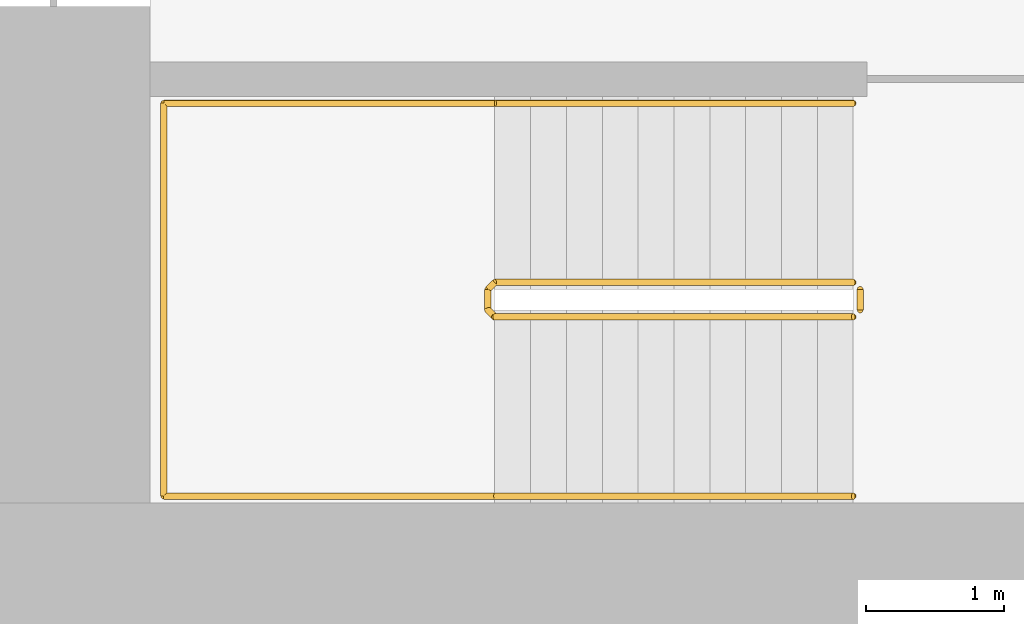
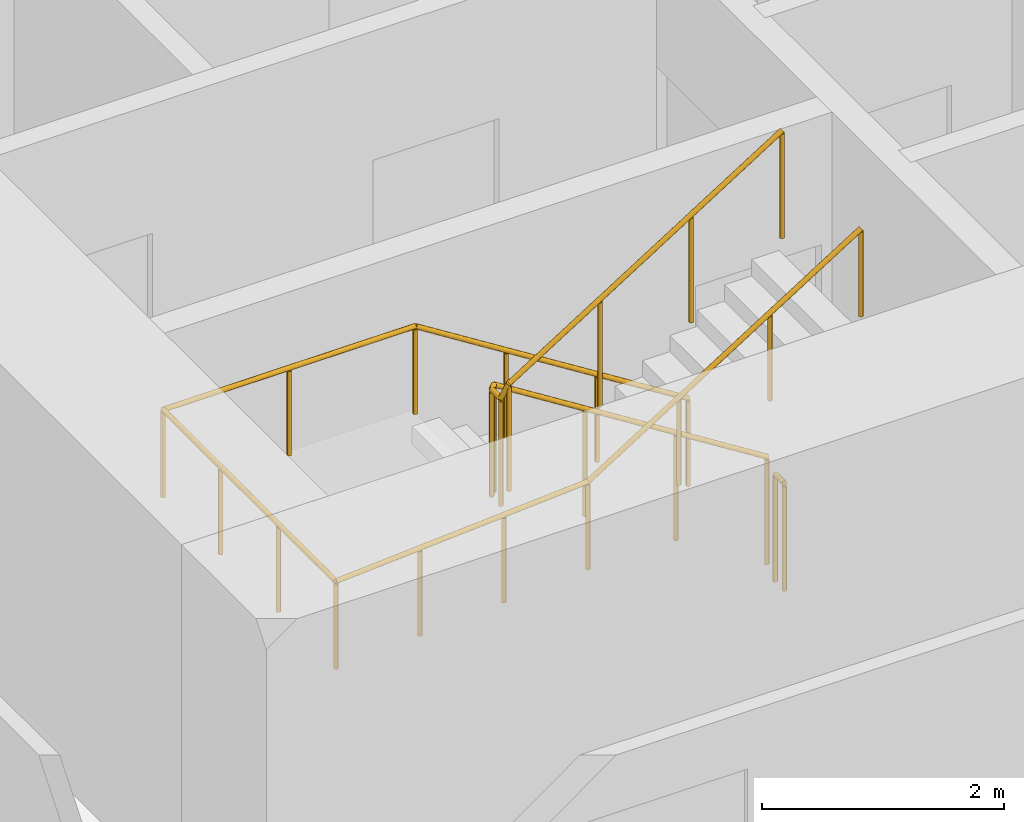
# One storey, part 12 of 14: 3 railings.
"""IFC4 building model written with IfcOpenShell, lengths in metres."""

import ifcopenshell
import ifcopenshell.guid

model = None  # the IFC model being written
_history = None  # IfcOwnerHistory: only IFC2X3 demands one
_inside = {}  # id of a spatial element -> (the spatial element, [elements in it])
_under = {}  # id of a project, library or spatial element -> (it, [spatial elements below it])
_declared = {}  # id of a project -> (the project, [libraries it declares])
_typed = {}  # id of a type object -> (the type object, [elements of that type])
_made_of = {}  # id of a material, layer set ... -> (it, [elements and type objects made of it])


def new_model(schema):
    """Start an empty IFC model of exactly this schema.

    Asked for "IFC4X3", IfcOpenShell would pick the latest addendum, in which some entities
    have other attributes; the version numbers below select the first issue.
    IFC2X3 requires an IfcOwnerHistory on every rooted entity: one is made here for all.
    """
    global model, _history
    if schema == "IFC4X3":
        model = ifcopenshell.file(schema_version=(4, 3, 0, 0))
    else:
        model = ifcopenshell.file(schema=schema)
    _inside.clear()
    _under.clear()
    _declared.clear()
    _typed.clear()
    _made_of.clear()
    _history = None
    if model.schema == "IFC2X3":
        org = make("IfcOrganization", Name="unknown")
        user = make(
            "IfcPersonAndOrganization",
            ThePerson=make("IfcPerson", FamilyName="unknown"),
            TheOrganization=org,
        )
        app = make(
            "IfcApplication",
            ApplicationDeveloper=org,
            Version="unknown",
            ApplicationFullName="unknown",
            ApplicationIdentifier="unknown",
        )
        _history = make(
            "IfcOwnerHistory",
            OwningUser=user,
            OwningApplication=app,
            ChangeAction="ADDED",
            CreationDate=0,
        )
    return model


def make(cls, **values):
    """One entity of the class cls with the attributes given. An attribute that is None is left unset."""
    return model.create_entity(
        cls, **{name: value for name, value in values.items() if value is not None}
    )


def rooted(cls, **values):
    """An entity with a GlobalId (a new one), such as an element, a storey or a relation."""
    return make(cls, GlobalId=ifcopenshell.guid.new(), OwnerHistory=_history, **values)


def si_unit(unit_type, name, prefix=None):
    """IfcSIUnit, for example si_unit("LENGTHUNIT", "METRE", prefix="MILLI")."""
    return make("IfcSIUnit", UnitType=unit_type, Prefix=prefix, Name=name)


def assignment(units):
    """IfcUnitAssignment: the units of a project."""
    return None if units is None else make("IfcUnitAssignment", Units=units)


def point(xyz):
    """IfcCartesianPoint."""
    return None if xyz is None else make("IfcCartesianPoint", Coordinates=xyz)


def direction(xyz):
    """IfcDirection."""
    return None if xyz is None else make("IfcDirection", DirectionRatios=xyz)


def frame(location, z_axis=None, x_axis=None):
    """IfcAxis2Placement3D, a coordinate frame: its origin and axes. An axis left out is left unset."""
    return make(
        "IfcAxis2Placement3D",
        Location=point(location),
        Axis=direction(z_axis),
        RefDirection=direction(x_axis),
    )


def frame_2d(location, x_axis=None):
    """IfcAxis2Placement2D, a coordinate frame in the plane: its origin and x axis."""
    return make(
        "IfcAxis2Placement2D", Location=point(location), RefDirection=direction(x_axis)
    )


def origin():
    """The frame at (0, 0, 0) with its axes left unset."""
    return frame((0.0, 0.0, 0.0))


def origin_2d():
    """The frame at (0, 0) in the plane with its x axis left unset."""
    return frame_2d((0.0, 0.0))


def place(relative_to, where):
    """IfcLocalPlacement: puts the frame where relative to a parent placement (None: the world)."""
    return make(
        "IfcLocalPlacement", PlacementRelTo=relative_to, RelativePlacement=where
    )


def context(
    kind, dimensions, precision=None, world=None, true_north=None, identifier=None
):
    """IfcGeometricRepresentationContext, for example the 3D "Model" context."""
    return make(
        "IfcGeometricRepresentationContext",
        ContextIdentifier=identifier,
        ContextType=kind,
        CoordinateSpaceDimension=dimensions,
        Precision=precision,
        WorldCoordinateSystem=world,
        TrueNorth=true_north,
    )


def subcontext(parent, identifier, kind, view, scale=None):
    """IfcGeometricRepresentationSubContext, for example "Body" below "Model"."""
    return make(
        "IfcGeometricRepresentationSubContext",
        ContextIdentifier=identifier,
        ContextType=kind,
        ParentContext=parent,
        TargetScale=scale,
        TargetView=view,
    )


def project(units=None, contexts=None):
    """IfcProject with its units and contexts."""
    return rooted(
        "IfcProject",
        Name="project",
        RepresentationContexts=contexts,
        UnitsInContext=assignment(units),
    )


def spatial(cls, under=None, at=None, **own):
    """A site, building, storey or space (cls), placed at a placement, below another one or the project."""
    s = rooted(cls, ObjectPlacement=at, **own)
    if under is not None:
        _under.setdefault(under.id(), (under, []))[1].append(s)
    return s


def profile(cls, at=None, kind="AREA", **sizes):
    """A parametric profile (cls). Its sizes go by their IFC names, for example OverallWidth=200.0."""
    return make(cls, ProfileType=kind, Position=at, **sizes)


def circle(**sizes):
    """IfcCircleProfileDef."""
    return profile("IfcCircleProfileDef", **sizes)


def extrude(swept, where, along, depth):
    """IfcExtrudedAreaSolid: the profile swept, set in the frame where, extruded along a direction by depth."""
    return make(
        "IfcExtrudedAreaSolid",
        SweptArea=swept,
        Position=where,
        ExtrudedDirection=direction(along),
        Depth=depth,
    )


def shape(context_of_items, identifier, shape_type, items):
    """IfcShapeRepresentation: the items that make up one representation, for example the "Body"."""
    return make(
        "IfcShapeRepresentation",
        ContextOfItems=context_of_items,
        RepresentationIdentifier=identifier,
        RepresentationType=shape_type,
        Items=items,
    )


def material(Name=None, Category=None):
    """IfcMaterial."""
    return make("IfcMaterial", Name=Name, Category=Category)


def made_of(thing, what):
    """Note that an element or type object is made of a material, layer set ...; save() writes the relation."""
    if what is not None:
        _made_of.setdefault(what.id(), (what, []))[1].append(thing)
    return thing


def type_object(cls, material=None, **own):
    """A type object (cls), such as IfcWallType, which elements share."""
    return made_of(rooted(cls, **own), material)


def element(
    cls,
    number,
    at=None,
    inside=None,
    cuts=None,
    type_object=None,
    material=None,
    context=None,
    identifier="Body",
    shape_type=None,
    held_by="IfcProductDefinitionShape",
    body=None,
    shapes=None,
    **own,
):
    """One element of the class cls, such as IfcWall. Its Tag is "e" and its number.

    at: its placement. inside: the storey or other place that contains it. cuts: it is an
    opening in that element (IfcRelVoidsElement). A single representation is given by context,
    identifier, shape_type and body (its items); several are given by shapes. held_by: the class
    of the entity that holds the representations. save() writes the other relations.
    """
    e = rooted(cls, Tag="e%d" % number, ObjectPlacement=at, **own)
    if body is not None:
        shapes = [shape(context, identifier, shape_type, body)]
    if shapes is not None:
        e.Representation = make(held_by, Representations=shapes)
    if inside is not None:
        _inside.setdefault(inside.id(), (inside, []))[1].append(e)
    if cuts is not None:
        rooted(
            "IfcRelVoidsElement", RelatingBuildingElement=cuts, RelatedOpeningElement=e
        )
    if type_object is not None:
        _typed.setdefault(type_object.id(), (type_object, []))[1].append(e)
    return made_of(e, material)


def aggregate(whole, parts):
    """IfcRelAggregates: a whole, such as a stair, and the parts it consists of."""
    return rooted("IfcRelAggregates", RelatingObject=whole, RelatedObjects=parts)


def save(model, path):
    """Write the relations noted so far, then the file.

    IfcRelAggregates (storeys below a building ...), IfcRelContainedInSpatialStructure (elements
    in a storey), IfcRelDefinesByType, IfcRelAssociatesMaterial and IfcRelDeclares: one each for
    every whole, place, type object, material and project.
    """
    for whole, parts in _under.values():
        aggregate(whole, parts)
    for where, things in _inside.values():
        rooted(
            "IfcRelContainedInSpatialStructure",
            RelatedElements=things,
            RelatingStructure=where,
        )
    for kind, things in _typed.values():
        rooted("IfcRelDefinesByType", RelatedObjects=things, RelatingType=kind)
    for what, things in _made_of.values():
        rooted("IfcRelAssociatesMaterial", RelatedObjects=things, RelatingMaterial=what)
    for by, libraries in _declared.values():
        rooted("IfcRelDeclares", RelatingContext=by, RelatedDefinitions=libraries)
    model.write(path)


model = new_model("IFC4")

# Units and contexts
model_context = context("Model", 3, precision=1e-05, world=origin(), true_north=direction((0.0, 1.0)))
body_context = subcontext(model_context, "Body", "Model", "MODEL_VIEW")
ifc_project = project(units=[si_unit("LENGTHUNIT", "METRE"), si_unit("AREAUNIT", "SQUARE_METRE"), si_unit("VOLUMEUNIT", "CUBIC_METRE"), si_unit("PLANEANGLEUNIT", "RADIAN"), si_unit("MASSUNIT", "GRAM", prefix="KILO")], contexts=[model_context])

# Site, building, storey
site_placement = place(None, origin())
site = spatial("IfcSite", under=ifc_project, at=site_placement, CompositionType="ELEMENT")
building_placement = place(site_placement, origin())
building = spatial("IfcBuilding", under=site, at=building_placement, Name="Rubra Terraces Tower", CompositionType="ELEMENT")
storey_placement = place(building_placement, frame((0.0, 0.0, 62.699951171875)))
storey = spatial("IfcBuildingStorey", under=building, at=storey_placement, Name="L13", CompositionType="ELEMENT", Elevation=62.699951171875)

# Railings
ifc_material = material(Name="Stainless steel", Category="steel")
railing_type_1 = type_object("IfcRailingType", Name="Core stair guard 1100", PredefinedType="GUARDRAIL", material=ifc_material)
railing_1_placement = place(storey_placement, frame((-6.5, 0.0, 0.16357421875)))
element("IfcRailing", 1, at=railing_1_placement, inside=storey, type_object=railing_type_1, Name="L13 stair S1 guard 1", PredefinedType="GUARDRAIL", context=body_context, shape_type="SweptSolid", body=[
    extrude(circle(Radius=0.02392578125, at=origin_2d()), frame((0.0, 0.0, 1.076171875), z_axis=(-0.846324394277, 0.0, 0.532667832379), x_axis=(0.0, -1.0, 0.0)), (0.0, 0.0, 1.0), 3.072265625),
    extrude(circle(Radius=0.02392578125, at=origin_2d()), frame((-2.60009765625, 0.0, 2.71240234375), z_axis=(-0.705375805398, -0.708833529934, 0.0), x_axis=(0.708833529934, -0.705375805398, 0.0)), (0.0, 0.0, 1.0), 0.070556640625),
    extrude(circle(Radius=0.02392578125, at=origin_2d()), frame((-2.64990234375, -0.050048828125, 2.71240234375), z_axis=(0.0, -1.0, 0.0), x_axis=(1.0, 0.0, 0.0)), (0.0, 0.0, 1.0), 0.14990234375),
    extrude(circle(Radius=0.02392578125, at=origin_2d()), frame((-2.64990234375, -0.199951171875, 2.71240234375), z_axis=(0.279546231943, -0.280916556609, 0.91811752648), x_axis=(0.708833529934, 0.705375805398, 0.0)), (0.0, 0.0, 1.0), 0.17822265625),
    extrude(circle(Radius=0.02392578125, at=origin_2d()), frame((-2.60009765625, -0.25, 2.8759765625), z_axis=(0.846324394277, 0.0, 0.532667832379), x_axis=(0.0, 1.0, 0.0)), (0.0, 0.0, 1.0), 3.072265625),
    extrude(circle(Radius=0.02099609375, at=origin_2d()), origin(), (0.0, 0.0, 1.0), 1.052001953125),
    extrude(circle(Radius=0.02099609375, at=origin_2d()), frame((-0.86669921875, 0.0, 0.54541015625)), (0.0, 0.0, 1.0), 1.052001953125),
    extrude(circle(Radius=0.02099609375, at=origin_2d()), frame((-1.7333984375, 0.0, 1.091064453125)), (0.0, 0.0, 1.0), 1.052001953125),
    extrude(circle(Radius=0.02099609375, at=origin_2d()), frame((-2.60009765625, 0.0, 1.636474609375)), (0.0, 0.0, 1.0), 1.052001953125),
    extrude(circle(Radius=0.02099609375, at=origin_2d()), frame((-2.64990234375, -0.050048828125, 1.636474609375)), (0.0, 0.0, 1.0), 1.052001953125),
    extrude(circle(Radius=0.02099609375, at=origin_2d()), frame((-2.64990234375, -0.199951171875, 1.636474609375)), (0.0, 0.0, 1.0), 1.052001953125),
    extrude(circle(Radius=0.02099609375, at=origin_2d()), frame((-2.60009765625, -0.25, 1.800048828125)), (0.0, 0.0, 1.0), 1.052001953125),
    extrude(circle(Radius=0.02099609375, at=origin_2d()), frame((-1.7333984375, -0.25, 2.345458984375)), (0.0, 0.0, 1.0), 1.052001953125),
    extrude(circle(Radius=0.02099609375, at=origin_2d()), frame((-0.86669921875, -0.25, 2.89111328125)), (0.0, 0.0, 1.0), 1.052001953125),
    extrude(circle(Radius=0.02099609375, at=origin_2d()), frame((0.0, -0.25, 3.4365234375)), (0.0, 0.0, 1.0), 1.052001953125),
])
railing_2_placement = place(storey_placement, frame((-6.449951171875, -0.050048828125, 0.0)))
element("IfcRailing", 2, at=railing_2_placement, inside=storey, type_object=railing_type_1, Name="L13 stair S1 guard 2", PredefinedType="GUARDRAIL", context=body_context, shape_type="SweptSolid", body=[
    extrude(circle(Radius=0.02392578125, at=origin_2d()), frame((0.0, 0.0, 1.076171875), z_axis=(0.0, -1.0, 0.0), x_axis=(1.0, 0.0, 0.0)), (0.0, 0.0, 1.0), 0.14990234375),
    extrude(circle(Radius=0.02099609375, at=origin_2d()), origin(), (0.0, 0.0, 1.0), 1.052001953125),
    extrude(circle(Radius=0.02099609375, at=origin_2d()), frame((0.0, -0.14990234375, 0.0)), (0.0, 0.0, 1.0), 1.052001953125),
])
railing_type_2 = type_object("IfcRailingType", Name="Core stair handrail 900", PredefinedType="HANDRAIL", material=ifc_material)
railing_3_placement = place(storey_placement, frame((-6.5, 1.300048828125, 0.16357421875)))
element("IfcRailing", 3, at=railing_3_placement, inside=storey, type_object=railing_type_2, Name="L13 stair S1 handrail 1", PredefinedType="HANDRAIL", context=body_context, shape_type="SweptSolid", body=[
    extrude(circle(Radius=0.02392578125, at=origin_2d()), frame((0.0, 0.0, 0.8759765625), z_axis=(-0.846324394277, 0.0, 0.532667832379), x_axis=(0.0, -1.0, 0.0)), (0.0, 0.0, 1.0), 3.072265625),
    extrude(circle(Radius=0.02392578125, at=origin_2d()), frame((-2.60009765625, 0.0, 2.51220703125), z_axis=(-1.0, 0.0, 0.0), x_axis=(0.0, -1.0, 0.0)), (0.0, 0.0, 1.0), 2.39990234375),
    extrude(circle(Radius=0.02392578125, at=origin_2d()), frame((-5.0, 0.0, 2.51220703125), z_axis=(0.0, -1.0, 0.0), x_axis=(1.0, 0.0, 0.0)), (0.0, 0.0, 1.0), 2.85009765625),
    extrude(circle(Radius=0.02392578125, at=origin_2d()), frame((-5.0, -2.85009765625, 2.51220703125), z_axis=(0.997685257876, 0.0, 0.068000928055), x_axis=(0.0, 1.0, 0.0)), (0.0, 0.0, 1.0), 2.405517578125),
    extrude(circle(Radius=0.02392578125, at=origin_2d()), frame((-2.60009765625, -2.85009765625, 2.67578125), z_axis=(0.846324394277, 0.0, 0.532667832379), x_axis=(0.0, 1.0, 0.0)), (0.0, 0.0, 1.0), 3.072265625),
    extrude(circle(Radius=0.02099609375, at=origin_2d()), origin(), (0.0, 0.0, 1.0), 0.851806640625),
    extrude(circle(Radius=0.02099609375, at=origin_2d()), frame((-0.86669921875, 0.0, 0.54541015625)), (0.0, 0.0, 1.0), 0.851806640625),
    extrude(circle(Radius=0.02099609375, at=origin_2d()), frame((-1.7333984375, 0.0, 1.091064453125)), (0.0, 0.0, 1.0), 0.851806640625),
    extrude(circle(Radius=0.02099609375, at=origin_2d()), frame((-2.60009765625, 0.0, 1.636474609375)), (0.0, 0.0, 1.0), 0.851806640625),
    extrude(circle(Radius=0.02099609375, at=origin_2d()), frame((-3.800048828125, 0.0, 1.636474609375)), (0.0, 0.0, 1.0), 0.851806640625),
    extrude(circle(Radius=0.02099609375, at=origin_2d()), frame((-5.0, 0.0, 1.636474609375)), (0.0, 0.0, 1.0), 0.851806640625),
    extrude(circle(Radius=0.02099609375, at=origin_2d()), frame((-5.0, -0.949951171875, 1.636474609375)), (0.0, 0.0, 1.0), 0.851806640625),
    extrude(circle(Radius=0.02099609375, at=origin_2d()), frame((-5.0, -1.900146484375, 1.636474609375)), (0.0, 0.0, 1.0), 0.851806640625),
    extrude(circle(Radius=0.02099609375, at=origin_2d()), frame((-5.0, -2.85009765625, 1.636474609375)), (0.0, 0.0, 1.0), 0.851806640625),
    extrude(circle(Radius=0.02099609375, at=origin_2d()), frame((-4.199951171875, -2.85009765625, 1.69091796875)), (0.0, 0.0, 1.0), 0.851806640625),
    extrude(circle(Radius=0.02099609375, at=origin_2d()), frame((-3.400146484375, -2.85009765625, 1.74560546875)), (0.0, 0.0, 1.0), 0.851806640625),
    extrude(circle(Radius=0.02099609375, at=origin_2d()), frame((-2.60009765625, -2.85009765625, 1.800048828125)), (0.0, 0.0, 1.0), 0.851806640625),
    extrude(circle(Radius=0.02099609375, at=origin_2d()), frame((-1.7333984375, -2.85009765625, 2.345458984375)), (0.0, 0.0, 1.0), 0.851806640625),
    extrude(circle(Radius=0.02099609375, at=origin_2d()), frame((-0.86669921875, -2.85009765625, 2.89111328125)), (0.0, 0.0, 1.0), 0.851806640625),
    extrude(circle(Radius=0.02099609375, at=origin_2d()), frame((0.0, -2.85009765625, 3.4365234375)), (0.0, 0.0, 1.0), 0.851806640625),
])

save(model, "model.ifc")
